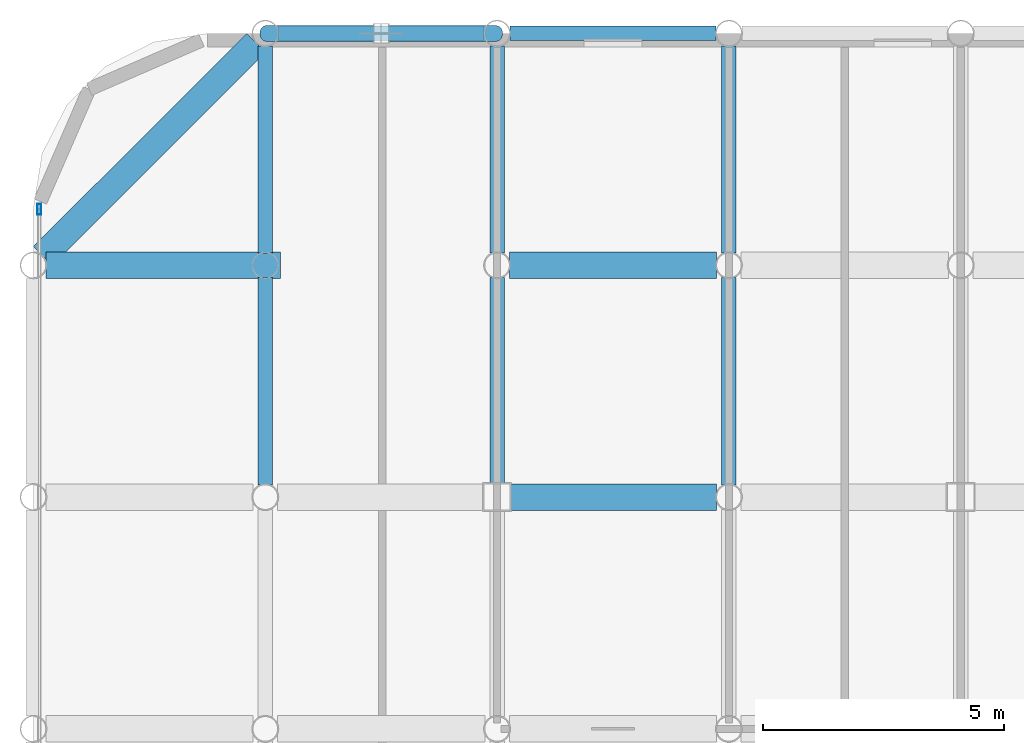
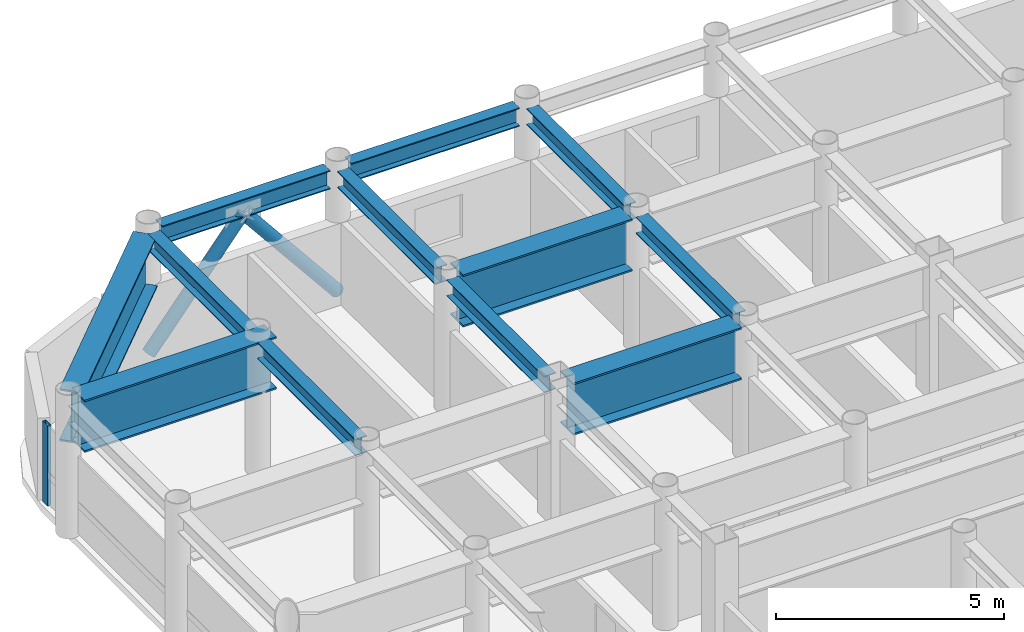
# One storey, part 12 of 21: 12 beams, 3 members, 1 element without a shape of its own.
"""IFC4 building model written with IfcOpenShell, lengths in metres."""

from ifc_helpers import new_model, si_unit, direction, frame, origin, origin_2d, place, context, subcontext, project, spatial, hollow_rectangle, hollow_circle, i_section, extrude, material, layer, layer_set, material_profile, profile_set, type_object, element, aggregate, save


model = new_model("IFC4")

# Units and contexts
model_context = context("Model", 3, precision=1e-05, world=origin(), true_north=direction((0.0, 1.0)))
body_context = subcontext(model_context, "Body", "Model", "MODEL_VIEW")
ifc_project = project(units=[si_unit("LENGTHUNIT", "METRE"), si_unit("AREAUNIT", "SQUARE_METRE"), si_unit("VOLUMEUNIT", "CUBIC_METRE"), si_unit("PLANEANGLEUNIT", "RADIAN"), si_unit("MASSUNIT", "GRAM", prefix="KILO")], contexts=[model_context])

# Site, building, storey
site_placement = place(None, origin())
site = spatial("IfcSite", under=ifc_project, at=site_placement, CompositionType="ELEMENT")
building_placement = place(site_placement, origin())
building = spatial("IfcBuilding", under=site, at=building_placement, Name="Kallvorn Hotel Tower", CompositionType="ELEMENT")
storey_placement = place(building_placement, frame((0.0, 0.0, 272.35009765625)))
storey = spatial("IfcBuildingStorey", under=building, at=storey_placement, Name="L68", CompositionType="ELEMENT", Elevation=272.35009765625)

# Beams
ifc_material_1 = material(Name="Structural steel S355JR", Category="steel")
ifc_material_profile_1 = material_profile(ifc_material_1, i_section(OverallWidth=0.300048828125, OverallDepth=0.43994140625, WebThickness=0.011474609375, FlangeThickness=0.02099609375, at=origin_2d()), Name="HE 450 A")
ifc_profile_set_1 = profile_set([ifc_material_profile_1], Name="Structural steel S355JR")
beam_type_1 = type_object("IfcBeamType", Name="BM_HE450A", PredefinedType="BEAM", material=ifc_profile_set_1)
for number, where, z_axis, x_axis, name in (
    (1, (-28.800048828125, 14.654541015625, 3.3798828125), (0.0, 1.0, 0.0), (-1.0, 0.0, 0.0), "L69 Primary Y-Girder 80"),
    (2, (-28.800048828125, 19.45458984375, 3.3798828125), (0.0, 1.0, 0.0), (-1.0, 0.0, 0.0), "L69 Primary Y-Girder 81"),
):
    element("IfcBeam", number, at=place(storey_placement, frame(where, z_axis=z_axis, x_axis=x_axis)), inside=storey, type_object=beam_type_1, Name=name, PredefinedType="BEAM", context=body_context, shape_type="SweptSolid", body=[
        extrude(i_section(OverallWidth=0.300048828125, OverallDepth=0.43994140625, WebThickness=0.011474609375, FlangeThickness=0.02099609375, at=origin_2d()), origin(), (0.0, 0.0, 1.0), 4.291015625),
    ])
beam_1_placement = place(storey_placement, frame((-24.0, 14.675048828125, 3.3798828125), z_axis=(0.0, 1.0, 0.0), x_axis=(-1.0, 0.0, 0.0)))
element("IfcBeam", 3, at=beam_1_placement, inside=storey, type_object=beam_type_1, Name="L69 Primary Y-Girder 87", PredefinedType="BEAM", context=body_context, shape_type="SweptSolid", body=[
    extrude(i_section(OverallWidth=0.300048828125, OverallDepth=0.43994140625, WebThickness=0.011474609375, FlangeThickness=0.02099609375, at=origin_2d()), origin(), (0.0, 0.0, 1.0), 4.2705078125),
])
for number, where, z_axis, x_axis, name in (
    (4, (-24.0, 19.45458984375, 3.3798828125), (0.0, 1.0, 0.0), (-1.0, 0.0, 0.0), "L69 Primary Y-Girder 88"),
    (5, (-19.199951171875, 14.654541015625, 3.3798828125), (0.0, 1.0, 0.0), (-1.0, 0.0, 0.0), "L69 Primary Y-Girder 96"),
    (6, (-19.199951171875, 19.45458984375, 3.3798828125), (0.0, 1.0, 0.0), (-1.0, 0.0, 0.0), "L69 Primary Y-Girder 97"),
):
    element("IfcBeam", number, at=place(storey_placement, frame(where, z_axis=z_axis, x_axis=x_axis)), inside=storey, type_object=beam_type_1, Name=name, PredefinedType="BEAM", context=body_context, shape_type="SweptSolid", body=[
        extrude(i_section(OverallWidth=0.300048828125, OverallDepth=0.43994140625, WebThickness=0.011474609375, FlangeThickness=0.02099609375, at=origin_2d()), origin(), (0.0, 0.0, 1.0), 4.291015625),
    ])
ifc_material_2 = material(Name="Structural steel S355JR", Category="steel")
ifc_material_profile_2 = material_profile(ifc_material_2, i_section(OverallWidth=0.300048828125, OverallDepth=0.5, WebThickness=0.014404296875, FlangeThickness=0.028076171875, at=origin_2d()), Name="HE 500 B")
ifc_profile_set_2 = profile_set([ifc_material_profile_2], Name="Structural steel S355JR")
beam_type_2 = type_object("IfcBeamType", Name="BM_HE500B", PredefinedType="SPANDREL", material=ifc_profile_set_2)
for number, where, z_axis, x_axis, name in (
    (7, (-28.530517578125, 24.0, 3.349853515625), (1.0, 0.0, 0.0), (0.0, 1.0, 0.0), "L69 Perimeter Spandrel 163"),
    (8, (-23.73046875, 24.0, 3.349853515625), (1.0, 0.0, 0.0), (0.0, 1.0, 0.0), "L69 Perimeter Spandrel 164"),
):
    element("IfcBeam", number, at=place(storey_placement, frame(where, z_axis=z_axis, x_axis=x_axis)), inside=storey, type_object=beam_type_2, Name=name, PredefinedType="SPANDREL", context=body_context, shape_type="SweptSolid", body=[
        extrude(i_section(OverallWidth=0.300048828125, OverallDepth=0.5, WebThickness=0.014404296875, FlangeThickness=0.028076171875, at=origin_2d()), origin(), (0.0, 0.0, 1.0), 4.260986328125),
    ])
ifc_material_3 = material(Name="Structural steel S355JR", Category="steel")
ifc_material_profile_3 = material_profile(ifc_material_3, i_section(OverallWidth=0.550048828125, OverallDepth=1.39990234375, WebThickness=0.02490234375, FlangeThickness=0.044921875, at=origin_2d()), Name="PG 1400x550x25x45")
ifc_profile_set_3 = profile_set([ifc_material_profile_3], Name="Structural steel S355JR")
beam_type_3 = type_object("IfcBeamType", Name="BM_PG_1400", PredefinedType="BEAM", material=ifc_profile_set_3)
beam_2_placement = place(storey_placement, frame((-23.72509765625, 14.39990234375, 2.89990234375), z_axis=(1.0, 0.0, 0.0), x_axis=(0.0, 1.0, 0.0)))
element("IfcBeam", 9, at=beam_2_placement, inside=storey, type_object=beam_type_3, Name="L69 Primary X-Girder 52", PredefinedType="BEAM", context=body_context, shape_type="SweptSolid", body=[
    extrude(i_section(OverallWidth=0.550048828125, OverallDepth=1.39990234375, WebThickness=0.02490234375, FlangeThickness=0.044921875, at=origin_2d()), origin(), (0.0, 0.0, 1.0), 4.2705078125),
])
beam_3_placement = place(storey_placement, frame((-33.345458984375, 19.199951171875, 2.89990234375), z_axis=(1.0, 0.0, 0.0), x_axis=(0.0, 1.0, 0.0)))
element("IfcBeam", 10, at=beam_3_placement, inside=storey, type_object=beam_type_3, Name="L69 Primary X-Girder 60", PredefinedType="BEAM", context=body_context, shape_type="SweptSolid", body=[
    extrude(i_section(OverallWidth=0.550048828125, OverallDepth=1.39990234375, WebThickness=0.02490234375, FlangeThickness=0.044921875, at=origin_2d()), origin(), (0.0, 0.0, 1.0), 4.865478515625),
])
beam_4_placement = place(storey_placement, frame((-23.74560546875, 19.199951171875, 2.89990234375), z_axis=(1.0, 0.0, 0.0), x_axis=(0.0, 1.0, 0.0)))
element("IfcBeam", 11, at=beam_4_placement, inside=storey, type_object=beam_type_3, Name="L69 Primary X-Girder 62", PredefinedType="BEAM", context=body_context, shape_type="SweptSolid", body=[
    extrude(i_section(OverallWidth=0.550048828125, OverallDepth=1.39990234375, WebThickness=0.02490234375, FlangeThickness=0.044921875, at=origin_2d()), origin(), (0.0, 0.0, 1.0), 4.291015625),
])
beam_5_placement = place(storey_placement, frame((-33.409423828125, 19.390625, 2.89990234375), z_axis=(0.707126314793, 0.707087247041, 0.0), x_axis=(-0.707087247041, 0.707126314793, 0.0)))
element("IfcBeam", 12, at=beam_5_placement, inside=storey, type_object=beam_type_3, Name="L69 Rounded Corner Tie Beam 190", PredefinedType="BEAM", context=body_context, shape_type="SweptSolid", body=[
    extrude(i_section(OverallWidth=0.550048828125, OverallDepth=1.39990234375, WebThickness=0.02490234375, FlangeThickness=0.044921875, at=origin_2d()), origin(), (0.0, 0.0, 1.0), 6.249267578125),
])

# Curtain wall, member
ifc_material_4 = material(Name="Thermally broken black-anodised aluminium AA 6063-T6", Category="aluminium")
ifc_layer = layer(ifc_material_4, 0.22998046875)
ifc_layer_set = layer_set([ifc_layer], Name="CW_SYS_5_HOTEL_HIGH")
curtain_wall_type = type_object("IfcCurtainWallType", Name="CW_SYS_5_HOTEL_HIGH", PredefinedType="USERDEFINED", material=ifc_layer_set)
curtain_wall_placement = place(storey_placement, origin())
curtain_wall = element("IfcCurtainWall", 13, at=curtain_wall_placement, inside=storey, type_object=curtain_wall_type, Name="L68 Dark-Glass Curtain Wall CW-L68-WN", ObjectType="UNITISED CURTAIN WALL", PredefinedType="USERDEFINED")
ifc_material_5 = material(Name="Thermally broken black-anodised aluminium AA 6063-T6", Category="aluminium")
ifc_material_profile_4 = material_profile(ifc_material_5, hollow_rectangle(XDim=0.080078125, YDim=0.219970703125, WallThickness=0.0048828125, at=origin_2d()), Name="MUL 220x80")
ifc_profile_set_4 = profile_set([ifc_material_profile_4], Name="Thermally broken black-anodised aluminium AA 6063-T6")
member_type_1 = type_object("IfcMemberType", Name="CW_MULLION_220x80", PredefinedType="MULLION", material=ifc_profile_set_4)
member_placement = place(storey_placement, frame((-33.47998046875, 20.360107421875, 0.02001953125), z_axis=(0.0, 0.0, 1.0), x_axis=(1.0, 0.0, 0.0)))
member = element("IfcMember", 14, at=member_placement, type_object=member_type_1, Name="CW-L68-WN Mullion 01", PredefinedType="MULLION", context=body_context, shape_type="SweptSolid", body=[
    extrude(hollow_rectangle(XDim=0.080078125, YDim=0.219970703125, WallThickness=0.0048828125, at=origin_2d()), origin(), (0.0, 0.0, 1.0), 2.159912109375),
])
aggregate(curtain_wall, [member])

# Members
ifc_material_6 = material(Name="Structural steel S355J2H", Category="steel")
ifc_material_profile_5 = material_profile(ifc_material_6, hollow_circle(Radius=0.161865234375, WallThickness=0.012451171875, at=origin_2d()), Name="CHS 323.9x12.5")
ifc_profile_set_5 = profile_set([ifc_material_profile_5], Name="Structural steel S355J2H")
member_type_2 = type_object("IfcMemberType", Name="MBR_EXO_CHS323", PredefinedType="BRACE", material=ifc_profile_set_5)
for number, where, z_axis, x_axis, name in (
    (15, (-28.787353515625, 24.0, 0.1953125), (0.629758671556, 0.0, 0.776790844179), (0.0, 1.0, 0.0), "L68 Exoskeleton K-Brace N1A"),
    (16, (-24.0126953125, 24.0, 0.1953125), (-0.629758671556, 0.0, 0.776790844179), (0.0, -1.0, 0.0), "L68 Exoskeleton K-Brace N1B"),
):
    element("IfcMember", number, at=place(storey_placement, frame(where, z_axis=z_axis, x_axis=x_axis)), inside=storey, type_object=member_type_2, Name=name, PredefinedType="BRACE", context=body_context, shape_type="SweptSolid", body=[
        extrude(hollow_circle(Radius=0.161865234375, WallThickness=0.012451171875, at=origin_2d()), origin(), (0.0, 0.0, 1.0), 3.77099609375),
    ])

save(model, "model.ifc")
